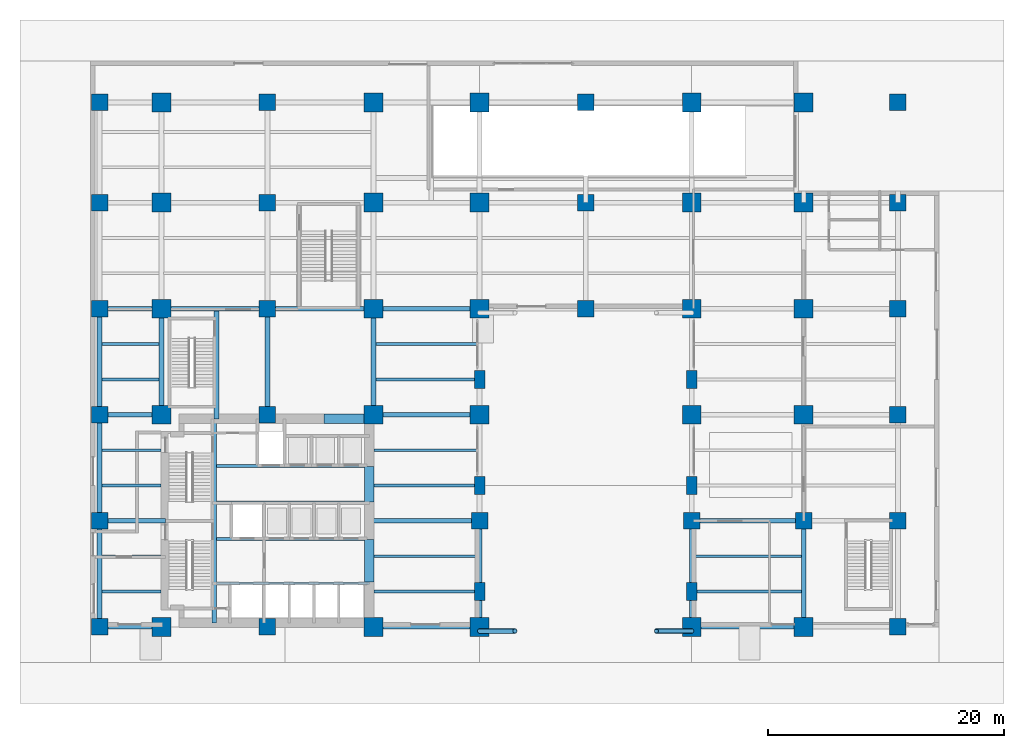
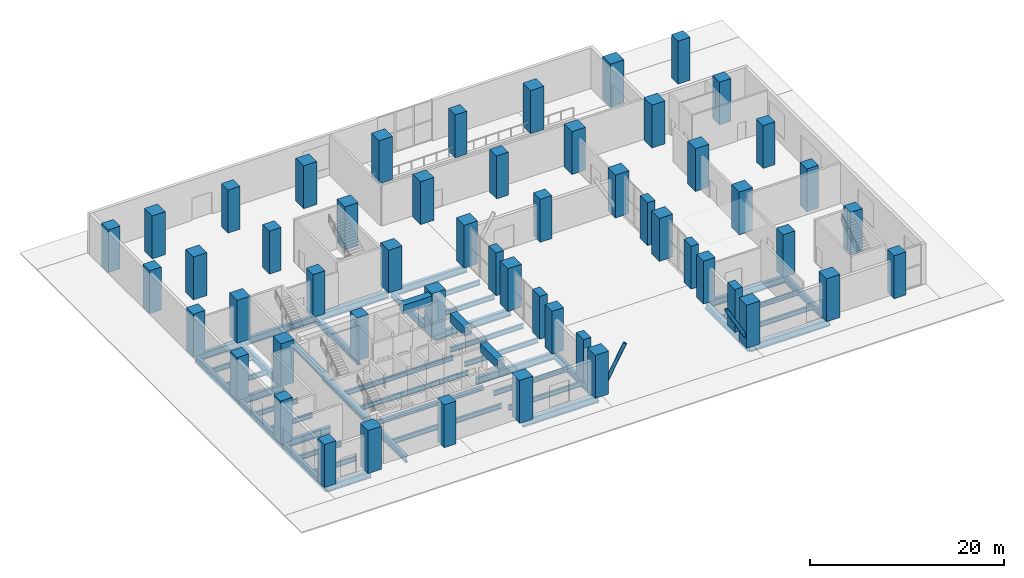
# One storey, part 1 of 17: 54 columns, 44 beams, 2 members.
"""IFC4 building model written with IfcOpenShell, lengths in metres."""

from ifc_helpers import new_model, si_unit, direction, frame, origin, origin_2d, place, context, subcontext, project, spatial, rectangle, hollow_circle, i_section, extrude, material, material_profile, profile_set, type_object, element, save


model = new_model("IFC4")

# Units and contexts
model_context = context("Model", 3, precision=1e-05, world=origin(), true_north=direction((0.0, 1.0)))
body_context = subcontext(model_context, "Body", "Model", "MODEL_VIEW")
ifc_project = project(units=[si_unit("LENGTHUNIT", "METRE"), si_unit("AREAUNIT", "SQUARE_METRE"), si_unit("VOLUMEUNIT", "CUBIC_METRE"), si_unit("PLANEANGLEUNIT", "RADIAN"), si_unit("MASSUNIT", "GRAM", prefix="KILO")], contexts=[model_context])

# Site, building, storey
site_placement = place(None, origin())
site = spatial("IfcSite", under=ifc_project, at=site_placement, CompositionType="ELEMENT")
building_placement = place(site_placement, origin())
building = spatial("IfcBuilding", under=site, at=building_placement, Name="Mawjdan Bourse Tower", CompositionType="ELEMENT")
storey_placement = place(building_placement, origin())
storey = spatial("IfcBuildingStorey", under=building, at=storey_placement, Name="L00", CompositionType="ELEMENT", Elevation=0.0)

# Columns
ifc_material_1 = material(Name="Concrete C80/95", Category="concrete")
ifc_material_profile_1 = material_profile(ifc_material_1, rectangle(XDim=1.39990234375, YDim=1.39990234375, at=origin_2d()), Name="RC1400X1400")
ifc_profile_set_1 = profile_set([ifc_material_profile_1], Name="Concrete C80/95")
column_type_1 = type_object("IfcColumnType", Name="COL-RC1400X1400", PredefinedType="COLUMN", material=ifc_profile_set_1)
for number, where, z_axis, x_axis, name in (
    (1, (0.75, 3.0, 0.0), (0.0, 0.0, 1.0), (1.0, 0.0, 0.0), "L00 Structural Column C-X8-Y30"),
    (2, (0.75, 12.0, 0.0), (0.0, 0.0, 1.0), (1.0, 0.0, 0.0), "L00 Structural Column C-X8-Y120"),
    (3, (0.75, 21.0, 0.0), (0.0, 0.0, 1.0), (1.0, 0.0, 0.0), "L00 Structural Column C-X8-Y210"),
    (4, (0.75, 30.0, 0.0), (0.0, 0.0, 1.0), (1.0, 0.0, 0.0), "L00 Structural Column C-X8-Y300"),
    (5, (0.75, 39.0, 0.0), (0.0, 0.0, 1.0), (1.0, 0.0, 0.0), "L00 Structural Column C-X8-Y390"),
    (6, (0.75, 47.5, 0.0), (0.0, 0.0, 1.0), (1.0, 0.0, 0.0), "L00 Structural Column C-X8-Y475"),
    (7, (15.0, 3.0, 0.0), (0.0, 0.0, 1.0), (1.0, 0.0, 0.0), "L00 Structural Column C-X150-Y30"),
    (8, (15.0, 21.0, 0.0), (0.0, 0.0, 1.0), (1.0, 0.0, 0.0), "L00 Structural Column C-X150-Y210"),
    (9, (15.0, 30.0, 0.0), (0.0, 0.0, 1.0), (1.0, 0.0, 0.0), "L00 Structural Column C-X150-Y300"),
    (10, (15.0, 39.0, 0.0), (0.0, 0.0, 1.0), (1.0, 0.0, 0.0), "L00 Structural Column C-X150-Y390"),
    (11, (15.0, 47.5, 0.0), (0.0, 0.0, 1.0), (1.0, 0.0, 0.0), "L00 Structural Column C-X150-Y475"),
    (12, (33.0, 12.0, 0.0), (0.0, 0.0, 1.0), (1.0, 0.0, 0.0), "L00 Structural Column C-X330-Y120"),
    (13, (42.0, 30.0, 0.0), (0.0, 0.0, 1.0), (1.0, 0.0, 0.0), "L00 Structural Column C-X420-Y300"),
    (14, (42.0, 39.0, 0.0), (0.0, 0.0, 1.0), (1.0, 0.0, 0.0), "L00 Structural Column C-X420-Y390"),
    (15, (42.0, 47.5, 0.0), (0.0, 0.0, 1.0), (1.0, 0.0, 0.0), "L00 Structural Column C-X420-Y475"),
    (16, (51.0, 12.0, 0.0), (0.0, 0.0, 1.0), (1.0, 0.0, 0.0), "L00 Structural Column C-X510-Y120"),
    (17, (60.5, 12.0, 0.0), (0.0, 0.0, 1.0), (1.0, 0.0, 0.0), "L00 Structural Column C-X605-Y120"),
    (18, (68.5, 3.0, 0.0), (0.0, 0.0, 1.0), (1.0, 0.0, 0.0), "L00 Structural Column C-X685-Y30"),
    (19, (68.5, 12.0, 0.0), (0.0, 0.0, 1.0), (1.0, 0.0, 0.0), "L00 Structural Column C-X685-Y120"),
    (20, (68.5, 21.0, 0.0), (0.0, 0.0, 1.0), (1.0, 0.0, 0.0), "L00 Structural Column C-X685-Y210"),
    (21, (68.5, 30.0, 0.0), (0.0, 0.0, 1.0), (1.0, 0.0, 0.0), "L00 Structural Column C-X685-Y300"),
    (22, (68.5, 39.0, 0.0), (0.0, 0.0, 1.0), (1.0, 0.0, 0.0), "L00 Structural Column C-X685-Y390"),
    (23, (68.5, 47.5, 0.0), (0.0, 0.0, 1.0), (1.0, 0.0, 0.0), "L00 Structural Column C-X685-Y475"),
):
    element("IfcColumn", number, at=place(storey_placement, frame(where, z_axis=z_axis, x_axis=x_axis)), inside=storey, type_object=column_type_1, Name=name, PredefinedType="COLUMN", context=body_context, shape_type="SweptSolid", body=[
        extrude(rectangle(XDim=1.39990234375, YDim=1.39990234375, at=origin_2d()), origin(), (0.0, 0.0, 1.0), 5.39990234375),
    ])
ifc_material_profile_2 = material_profile(ifc_material_1, rectangle(XDim=1.60009765625, YDim=1.60009765625, at=origin_2d()), Name="RC1600X1600")
ifc_profile_set_2 = profile_set([ifc_material_profile_2], Name="Concrete C80/95")
column_type_2 = type_object("IfcColumnType", Name="COL-RC1600X1600", PredefinedType="COLUMN", material=ifc_profile_set_2)
for number, where, z_axis, x_axis, name in (
    (24, (6.0, 3.0, 0.0), (0.0, 0.0, 1.0), (1.0, 0.0, 0.0), "L00 Structural Column C-X60-Y30"),
    (25, (6.0, 21.0, 0.0), (0.0, 0.0, 1.0), (1.0, 0.0, 0.0), "L00 Structural Column C-X60-Y210"),
    (26, (6.0, 30.0, 0.0), (0.0, 0.0, 1.0), (1.0, 0.0, 0.0), "L00 Structural Column C-X60-Y300"),
    (27, (6.0, 39.0, 0.0), (0.0, 0.0, 1.0), (1.0, 0.0, 0.0), "L00 Structural Column C-X60-Y390"),
    (28, (6.0, 47.5, 0.0), (0.0, 0.0, 1.0), (1.0, 0.0, 0.0), "L00 Structural Column C-X60-Y475"),
    (29, (24.0, 3.0, 0.0), (0.0, 0.0, 1.0), (1.0, 0.0, 0.0), "L00 Structural Column C-X240-Y30"),
    (30, (24.0, 21.0, 0.0), (0.0, 0.0, 1.0), (1.0, 0.0, 0.0), "L00 Structural Column C-X240-Y210"),
    (31, (24.0, 30.0, 0.0), (0.0, 0.0, 1.0), (1.0, 0.0, 0.0), "L00 Structural Column C-X240-Y300"),
    (32, (24.0, 39.0, 0.0), (0.0, 0.0, 1.0), (1.0, 0.0, 0.0), "L00 Structural Column C-X240-Y390"),
    (33, (24.0, 47.5, 0.0), (0.0, 0.0, 1.0), (1.0, 0.0, 0.0), "L00 Structural Column C-X240-Y475"),
    (34, (33.0, 3.0, 0.0), (0.0, 0.0, 1.0), (1.0, 0.0, 0.0), "L00 Structural Column C-X330-Y30"),
    (35, (33.0, 21.0, 0.0), (0.0, 0.0, 1.0), (1.0, 0.0, 0.0), "L00 Structural Column C-X330-Y210"),
    (36, (33.0, 30.0, 0.0), (0.0, 0.0, 1.0), (1.0, 0.0, 0.0), "L00 Structural Column C-X330-Y300"),
    (37, (33.0, 39.0, 0.0), (0.0, 0.0, 1.0), (1.0, 0.0, 0.0), "L00 Structural Column C-X330-Y390"),
    (38, (33.0, 47.5, 0.0), (0.0, 0.0, 1.0), (1.0, 0.0, 0.0), "L00 Structural Column C-X330-Y475"),
    (39, (51.0, 3.0, 0.0), (0.0, 0.0, 1.0), (1.0, 0.0, 0.0), "L00 Structural Column C-X510-Y30"),
    (40, (51.0, 21.0, 0.0), (0.0, 0.0, 1.0), (1.0, 0.0, 0.0), "L00 Structural Column C-X510-Y210"),
    (41, (51.0, 30.0, 0.0), (0.0, 0.0, 1.0), (1.0, 0.0, 0.0), "L00 Structural Column C-X510-Y300"),
    (42, (51.0, 39.0, 0.0), (0.0, 0.0, 1.0), (1.0, 0.0, 0.0), "L00 Structural Column C-X510-Y390"),
    (43, (51.0, 47.5, 0.0), (0.0, 0.0, 1.0), (1.0, 0.0, 0.0), "L00 Structural Column C-X510-Y475"),
    (44, (60.5, 3.0, 0.0), (0.0, 0.0, 1.0), (1.0, 0.0, 0.0), "L00 Structural Column C-X605-Y30"),
    (45, (60.5, 21.0, 0.0), (0.0, 0.0, 1.0), (1.0, 0.0, 0.0), "L00 Structural Column C-X605-Y210"),
    (46, (60.5, 30.0, 0.0), (0.0, 0.0, 1.0), (1.0, 0.0, 0.0), "L00 Structural Column C-X605-Y300"),
    (47, (60.5, 39.0, 0.0), (0.0, 0.0, 1.0), (1.0, 0.0, 0.0), "L00 Structural Column C-X605-Y390"),
    (48, (60.5, 47.5, 0.0), (0.0, 0.0, 1.0), (1.0, 0.0, 0.0), "L00 Structural Column C-X605-Y475"),
):
    element("IfcColumn", number, at=place(storey_placement, frame(where, z_axis=z_axis, x_axis=x_axis)), inside=storey, type_object=column_type_2, Name=name, PredefinedType="COLUMN", context=body_context, shape_type="SweptSolid", body=[
        extrude(rectangle(XDim=1.60009765625, YDim=1.60009765625, at=origin_2d()), origin(), (0.0, 0.0, 1.0), 5.39990234375),
    ])
ifc_material_2 = material(Name="Concrete C70/85", Category="concrete")
ifc_material_profile_3 = material_profile(ifc_material_2, rectangle(XDim=0.89990234375, YDim=1.5, at=origin_2d()), Name="RC1500X900")
ifc_profile_set_3 = profile_set([ifc_material_profile_3], Name="Concrete C70/85")
column_type_3 = type_object("IfcColumnType", Name="PIL-RC1500X900", PredefinedType="PILASTER", material=ifc_profile_set_3)
for number, where, z_axis, x_axis, name in (
    (49, (33.0, 6.0, 0.0), (0.0, 0.0, 1.0), (1.0, 0.0, 0.0), "L00 Engaged Pier Pilaster PIL-X330-Y60"),
    (50, (33.0, 15.0, 0.0), (0.0, 0.0, 1.0), (1.0, 0.0, 0.0), "L00 Engaged Pier Pilaster PIL-X330-Y150"),
    (51, (33.0, 24.0, 0.0), (0.0, 0.0, 1.0), (1.0, 0.0, 0.0), "L00 Engaged Pier Pilaster PIL-X330-Y240"),
    (52, (51.0, 6.0, 0.0), (0.0, 0.0, 1.0), (1.0, 0.0, 0.0), "L00 Engaged Pier Pilaster PIL-X510-Y60"),
    (53, (51.0, 15.0, 0.0), (0.0, 0.0, 1.0), (1.0, 0.0, 0.0), "L00 Engaged Pier Pilaster PIL-X510-Y150"),
    (54, (51.0, 24.0, 0.0), (0.0, 0.0, 1.0), (1.0, 0.0, 0.0), "L00 Engaged Pier Pilaster PIL-X510-Y240"),
):
    element("IfcColumn", number, at=place(storey_placement, frame(where, z_axis=z_axis, x_axis=x_axis)), inside=storey, type_object=column_type_3, Name=name, PredefinedType="PILASTER", context=body_context, shape_type="SweptSolid", body=[
        extrude(rectangle(XDim=0.89990234375, YDim=1.5, at=origin_2d()), origin(), (0.0, 0.0, 1.0), 5.39990234375),
    ])

# Members
ifc_material_3 = material(Name="Structural Steel S460", Category="steel")
ifc_material_profile_4 = material_profile(ifc_material_3, hollow_circle(Radius=0.203125, WallThickness=0.01611328125, at=origin_2d()), Name="CHS406X16")
ifc_profile_set_4 = profile_set([ifc_material_profile_4], Name="Structural Steel S460")
member_type = type_object("IfcMemberType", Name="ARC-CHS406X16", PredefinedType="USERDEFINED", material=ifc_profile_set_4)
for number, where, z_axis, x_axis, name in (
    (55, (33.0, 2.64990234375, 0.0), (0.485649642493, 0.0, 0.87415354758), (0.0, 1.0, 0.0), "L00 Giant Arch Structural Rib SOUTH 1"),
    (56, (51.0, 2.64990234375, 0.0), (-0.485649642493, 0.0, 0.87415354758), (0.0, -1.0, 0.0), "L00 Giant Arch Structural Rib SOUTH 2"),
):
    element("IfcMember", number, at=place(storey_placement, frame(where, z_axis=z_axis, x_axis=x_axis)), inside=storey, type_object=member_type, Name=name, ObjectType="ARCH RIB", PredefinedType="USERDEFINED", context=body_context, shape_type="SweptSolid", body=[
        extrude(hollow_circle(Radius=0.203125, WallThickness=0.01611328125, at=origin_2d()), origin(), (0.0, 0.0, 1.0), 6.17724609375),
    ])

# Beams
ifc_material_4 = material(Name="Structural Steel S355", Category="steel")
ifc_material_profile_5 = material_profile(ifc_material_4, i_section(OverallWidth=0.39892578125, OverallDepth=0.85595703125, WebThickness=0.018310546875, FlangeThickness=0.029296875, FilletRadius=0.0234375, at=origin_2d()), Name="W33X201")
ifc_profile_set_5 = profile_set([ifc_material_profile_5], Name="Structural Steel S355")
beam_type_1 = type_object("IfcBeamType", Name="GRD-W33X201", PredefinedType="BEAM", material=ifc_profile_set_5)
beam_1_placement = place(storey_placement, frame((10.47998046875, 3.35009765625, -0.72802734375), z_axis=(0.0, 1.0, 0.0), x_axis=(-1.0, 0.0, 0.0)))
element("IfcBeam", 57, at=beam_1_placement, inside=storey, type_object=beam_type_1, Name="L00 Core Stair Trimmer Girder 001", PredefinedType="BEAM", context=body_context, shape_type="SweptSolid", body=[
    extrude(i_section(OverallWidth=0.39892578125, OverallDepth=0.85595703125, WebThickness=0.018310546875, FlangeThickness=0.029296875, FilletRadius=0.0234375, at=origin_2d()), origin(), (0.0, 0.0, 1.0), 17.2998046875),
])
for number, where, z_axis, x_axis, name in (
    (58, (0.75, 3.0, -0.72802734375), (0.0, 1.0, 0.0), (-1.0, 0.0, 0.0), "L00 West Facade Pier Girder 005"),
    (59, (0.75, 12.0, -0.72802734375), (0.0, 1.0, 0.0), (-1.0, 0.0, 0.0), "L00 West Facade Pier Girder 006"),
    (60, (0.75, 21.0, -0.72802734375), (0.0, 1.0, 0.0), (-1.0, 0.0, 0.0), "L00 West Facade Pier Girder 007"),
):
    element("IfcBeam", number, at=place(storey_placement, frame(where, z_axis=z_axis, x_axis=x_axis)), inside=storey, type_object=beam_type_1, Name=name, PredefinedType="BEAM", context=body_context, shape_type="SweptSolid", body=[
        extrude(i_section(OverallWidth=0.39892578125, OverallDepth=0.85595703125, WebThickness=0.018310546875, FlangeThickness=0.029296875, FilletRadius=0.0234375, at=origin_2d()), origin(), (0.0, 0.0, 1.0), 9.0),
    ])
beam_2_placement = place(storey_placement, frame((10.679931640625, 20.64990234375, -0.72802734375), z_axis=(0.0, 1.0, 0.0), x_axis=(-1.0, 0.0, 0.0)))
element("IfcBeam", 61, at=beam_2_placement, inside=storey, type_object=beam_type_1, Name="L00 North Stair Trimmer Girder 010", PredefinedType="BEAM", context=body_context, shape_type="SweptSolid", body=[
    extrude(i_section(OverallWidth=0.39892578125, OverallDepth=0.85595703125, WebThickness=0.018310546875, FlangeThickness=0.029296875, FilletRadius=0.0234375, at=origin_2d()), origin(), (0.0, 0.0, 1.0), 9.152587890625),
])
for number, where, z_axis, x_axis, name in (
    (62, (6.0, 21.0, -0.72802734375), (0.0, 1.0, 0.0), (-1.0, 0.0, 0.0), "L00 Podium Primary Girder 013"),
    (63, (15.0, 21.0, -0.72802734375), (0.0, 1.0, 0.0), (-1.0, 0.0, 0.0), "L00 Podium Primary Girder 016"),
    (64, (24.0, 21.0, -0.72802734375), (0.0, 1.0, 0.0), (-1.0, 0.0, 0.0), "L00 Podium Primary Girder 019"),
    (65, (33.0, 3.0, -0.72802734375), (0.0, 1.0, 0.0), (-1.0, 0.0, 0.0), "L00 Podium Primary Girder 022"),
    (66, (51.0, 3.0, -0.72802734375), (0.0, 1.0, 0.0), (-1.0, 0.0, 0.0), "L00 Podium Primary Girder 029"),
    (67, (60.5, 3.0, -0.72802734375), (0.0, 1.0, 0.0), (-1.0, 0.0, 0.0), "L00 Podium Primary Girder 034"),
):
    element("IfcBeam", number, at=place(storey_placement, frame(where, z_axis=z_axis, x_axis=x_axis)), inside=storey, type_object=beam_type_1, Name=name, PredefinedType="BEAM", context=body_context, shape_type="SweptSolid", body=[
        extrude(i_section(OverallWidth=0.39892578125, OverallDepth=0.85595703125, WebThickness=0.018310546875, FlangeThickness=0.029296875, FilletRadius=0.0234375, at=origin_2d()), origin(), (0.0, 0.0, 1.0), 9.0),
    ])
beam_3_placement = place(storey_placement, frame((0.75, 3.0, -0.72802734375), z_axis=(1.0, 0.0, 0.0), x_axis=(0.0, 1.0, 0.0)))
element("IfcBeam", 68, at=beam_3_placement, inside=storey, type_object=beam_type_1, Name="L00 Podium Tie Girder 044", PredefinedType="BEAM", context=body_context, shape_type="SweptSolid", body=[
    extrude(i_section(OverallWidth=0.39892578125, OverallDepth=0.85595703125, WebThickness=0.018310546875, FlangeThickness=0.029296875, FilletRadius=0.0234375, at=origin_2d()), origin(), (0.0, 0.0, 1.0), 5.25),
])
beam_4_placement = place(storey_placement, frame((24.0, 3.0, -0.72802734375), z_axis=(1.0, 0.0, 0.0), x_axis=(0.0, 1.0, 0.0)))
element("IfcBeam", 69, at=beam_4_placement, inside=storey, type_object=beam_type_1, Name="L00 Podium Tie Girder 045", PredefinedType="BEAM", context=body_context, shape_type="SweptSolid", body=[
    extrude(i_section(OverallWidth=0.39892578125, OverallDepth=0.85595703125, WebThickness=0.018310546875, FlangeThickness=0.029296875, FilletRadius=0.0234375, at=origin_2d()), origin(), (0.0, 0.0, 1.0), 9.0),
])
beam_5_placement = place(storey_placement, frame((51.0, 3.0, -0.72802734375), z_axis=(1.0, 0.0, 0.0), x_axis=(0.0, 1.0, 0.0)))
element("IfcBeam", 70, at=beam_5_placement, inside=storey, type_object=beam_type_1, Name="L00 Podium Tie Girder 046", PredefinedType="BEAM", context=body_context, shape_type="SweptSolid", body=[
    extrude(i_section(OverallWidth=0.39892578125, OverallDepth=0.85595703125, WebThickness=0.018310546875, FlangeThickness=0.029296875, FilletRadius=0.0234375, at=origin_2d()), origin(), (0.0, 0.0, 1.0), 9.5),
])
beam_6_placement = place(storey_placement, frame((0.75, 12.0, -0.72802734375), z_axis=(1.0, 0.0, 0.0), x_axis=(0.0, 1.0, 0.0)))
element("IfcBeam", 71, at=beam_6_placement, inside=storey, type_object=beam_type_1, Name="L00 Podium Core Tie Girder 048", PredefinedType="BEAM", context=body_context, shape_type="SweptSolid", body=[
    extrude(i_section(OverallWidth=0.39892578125, OverallDepth=0.85595703125, WebThickness=0.018310546875, FlangeThickness=0.029296875, FilletRadius=0.0234375, at=origin_2d()), origin(), (0.0, 0.0, 1.0), 5.60009765625),
])
beam_7_placement = place(storey_placement, frame((23.64990234375, 12.0, -0.72802734375), z_axis=(1.0, 0.0, 0.0), x_axis=(0.0, 1.0, 0.0)))
element("IfcBeam", 72, at=beam_7_placement, inside=storey, type_object=beam_type_1, Name="L00 Podium Tie Girder 049", PredefinedType="BEAM", context=body_context, shape_type="SweptSolid", body=[
    extrude(i_section(OverallWidth=0.39892578125, OverallDepth=0.85595703125, WebThickness=0.018310546875, FlangeThickness=0.029296875, FilletRadius=0.0234375, at=origin_2d()), origin(), (0.0, 0.0, 1.0), 9.35009765625),
])
beam_8_placement = place(storey_placement, frame((51.0, 12.0, -0.72802734375), z_axis=(1.0, 0.0, 0.0), x_axis=(0.0, 1.0, 0.0)))
element("IfcBeam", 73, at=beam_8_placement, inside=storey, type_object=beam_type_1, Name="L00 Podium Tie Girder 050", PredefinedType="BEAM", context=body_context, shape_type="SweptSolid", body=[
    extrude(i_section(OverallWidth=0.39892578125, OverallDepth=0.85595703125, WebThickness=0.018310546875, FlangeThickness=0.029296875, FilletRadius=0.0234375, at=origin_2d()), origin(), (0.0, 0.0, 1.0), 9.5),
])
beam_9_placement = place(storey_placement, frame((0.75, 21.0, -0.72802734375), z_axis=(1.0, 0.0, 0.0), x_axis=(0.0, 1.0, 0.0)))
element("IfcBeam", 74, at=beam_9_placement, inside=storey, type_object=beam_type_1, Name="L00 Podium Tie Girder 052", PredefinedType="BEAM", context=body_context, shape_type="SweptSolid", body=[
    extrude(i_section(OverallWidth=0.39892578125, OverallDepth=0.85595703125, WebThickness=0.018310546875, FlangeThickness=0.029296875, FilletRadius=0.0234375, at=origin_2d()), origin(), (0.0, 0.0, 1.0), 5.25),
])
beam_10_placement = place(storey_placement, frame((24.0, 21.0, -0.72802734375), z_axis=(1.0, 0.0, 0.0), x_axis=(0.0, 1.0, 0.0)))
element("IfcBeam", 75, at=beam_10_placement, inside=storey, type_object=beam_type_1, Name="L00 Podium Tie Girder 053", PredefinedType="BEAM", context=body_context, shape_type="SweptSolid", body=[
    extrude(i_section(OverallWidth=0.39892578125, OverallDepth=0.85595703125, WebThickness=0.018310546875, FlangeThickness=0.029296875, FilletRadius=0.0234375, at=origin_2d()), origin(), (0.0, 0.0, 1.0), 9.0),
])
beam_11_placement = place(storey_placement, frame((0.75, 30.0, -0.72802734375), z_axis=(1.0, 0.0, 0.0), x_axis=(0.0, 1.0, 0.0)))
element("IfcBeam", 76, at=beam_11_placement, inside=storey, type_object=beam_type_1, Name="L00 Podium Tie Girder 056", PredefinedType="BEAM", context=body_context, shape_type="SweptSolid", body=[
    extrude(i_section(OverallWidth=0.39892578125, OverallDepth=0.85595703125, WebThickness=0.018310546875, FlangeThickness=0.029296875, FilletRadius=0.0234375, at=origin_2d()), origin(), (0.0, 0.0, 1.0), 5.25),
])
for number, where, z_axis, x_axis, name in (
    (77, (6.35009765625, 30.0, -0.72802734375), (1.0, 0.0, 0.0), (0.0, 1.0, 0.0), "L00 Podium Tie Girder 057"),
    (78, (15.0, 30.0, -0.72802734375), (1.0, 0.0, 0.0), (0.0, 1.0, 0.0), "L00 Podium Tie Girder 058"),
):
    element("IfcBeam", number, at=place(storey_placement, frame(where, z_axis=z_axis, x_axis=x_axis)), inside=storey, type_object=beam_type_1, Name=name, PredefinedType="BEAM", context=body_context, shape_type="SweptSolid", body=[
        extrude(i_section(OverallWidth=0.39892578125, OverallDepth=0.85595703125, WebThickness=0.018310546875, FlangeThickness=0.029296875, FilletRadius=0.0234375, at=origin_2d()), origin(), (0.0, 0.0, 1.0), 8.64990234375),
    ])
beam_12_placement = place(storey_placement, frame((24.0, 30.0, -0.72802734375), z_axis=(1.0, 0.0, 0.0), x_axis=(0.0, 1.0, 0.0)))
element("IfcBeam", 79, at=beam_12_placement, inside=storey, type_object=beam_type_1, Name="L00 Podium Tie Girder 059", PredefinedType="BEAM", context=body_context, shape_type="SweptSolid", body=[
    extrude(i_section(OverallWidth=0.39892578125, OverallDepth=0.85595703125, WebThickness=0.018310546875, FlangeThickness=0.029296875, FilletRadius=0.0234375, at=origin_2d()), origin(), (0.0, 0.0, 1.0), 9.0),
])
ifc_material_profile_6 = material_profile(ifc_material_4, i_section(OverallWidth=0.22998046875, OverallDepth=0.616943359375, WebThickness=0.01318359375, FlangeThickness=0.022216796875, FilletRadius=0.017822265625, at=origin_2d()), Name="W24X94")
ifc_profile_set_6 = profile_set([ifc_material_profile_6], Name="Structural Steel S355")
beam_type_2 = type_object("IfcBeamType", Name="JST-W24X94", PredefinedType="JOIST", material=ifc_profile_set_6)
beam_13_placement = place(storey_placement, frame((0.947509765625, 6.0, -0.6083984375), z_axis=(1.0, 0.0, 0.0), x_axis=(0.0, 1.0, 0.0)))
element("IfcBeam", 80, at=beam_13_placement, inside=storey, type_object=beam_type_2, Name="L00 Composite Floor Joist 079", PredefinedType="JOIST", context=body_context, shape_type="SweptSolid", body=[
    extrude(i_section(OverallWidth=0.22998046875, OverallDepth=0.616943359375, WebThickness=0.01318359375, FlangeThickness=0.022216796875, FilletRadius=0.017822265625, at=origin_2d()), origin(), (0.0, 0.0, 1.0), 5.012451171875),
])
beam_14_placement = place(storey_placement, frame((24.0400390625, 6.0, -0.6083984375), z_axis=(1.0, 0.0, 0.0), x_axis=(0.0, 1.0, 0.0)))
element("IfcBeam", 81, at=beam_14_placement, inside=storey, type_object=beam_type_2, Name="L00 Composite Floor Joist 080", PredefinedType="JOIST", context=body_context, shape_type="SweptSolid", body=[
    extrude(i_section(OverallWidth=0.22998046875, OverallDepth=0.616943359375, WebThickness=0.01318359375, FlangeThickness=0.022216796875, FilletRadius=0.017822265625, at=origin_2d()), origin(), (0.0, 0.0, 1.0), 8.762451171875),
])
beam_15_placement = place(storey_placement, frame((51.197509765625, 6.0, -0.6083984375), z_axis=(1.0, 0.0, 0.0), x_axis=(0.0, 1.0, 0.0)))
element("IfcBeam", 82, at=beam_15_placement, inside=storey, type_object=beam_type_2, Name="L00 Composite Floor Joist 081", PredefinedType="JOIST", context=body_context, shape_type="SweptSolid", body=[
    extrude(i_section(OverallWidth=0.22998046875, OverallDepth=0.616943359375, WebThickness=0.01318359375, FlangeThickness=0.022216796875, FilletRadius=0.017822265625, at=origin_2d()), origin(), (0.0, 0.0, 1.0), 9.10498046875),
])
beam_16_placement = place(storey_placement, frame((0.947509765625, 9.0, -0.6083984375), z_axis=(1.0, 0.0, 0.0), x_axis=(0.0, 1.0, 0.0)))
element("IfcBeam", 83, at=beam_16_placement, inside=storey, type_object=beam_type_2, Name="L00 Composite Floor Joist 082", PredefinedType="JOIST", context=body_context, shape_type="SweptSolid", body=[
    extrude(i_section(OverallWidth=0.22998046875, OverallDepth=0.616943359375, WebThickness=0.01318359375, FlangeThickness=0.022216796875, FilletRadius=0.017822265625, at=origin_2d()), origin(), (0.0, 0.0, 1.0), 5.012451171875),
])
beam_17_placement = place(storey_placement, frame((24.0400390625, 9.0, -0.6083984375), z_axis=(1.0, 0.0, 0.0), x_axis=(0.0, 1.0, 0.0)))
element("IfcBeam", 84, at=beam_17_placement, inside=storey, type_object=beam_type_2, Name="L00 Composite Floor Joist 083", PredefinedType="JOIST", context=body_context, shape_type="SweptSolid", body=[
    extrude(i_section(OverallWidth=0.22998046875, OverallDepth=0.616943359375, WebThickness=0.01318359375, FlangeThickness=0.022216796875, FilletRadius=0.017822265625, at=origin_2d()), origin(), (0.0, 0.0, 1.0), 8.762451171875),
])
beam_18_placement = place(storey_placement, frame((51.197509765625, 9.0, -0.6083984375), z_axis=(1.0, 0.0, 0.0), x_axis=(0.0, 1.0, 0.0)))
element("IfcBeam", 85, at=beam_18_placement, inside=storey, type_object=beam_type_2, Name="L00 Composite Floor Joist 084", PredefinedType="JOIST", context=body_context, shape_type="SweptSolid", body=[
    extrude(i_section(OverallWidth=0.22998046875, OverallDepth=0.616943359375, WebThickness=0.01318359375, FlangeThickness=0.022216796875, FilletRadius=0.017822265625, at=origin_2d()), origin(), (0.0, 0.0, 1.0), 9.10498046875),
])
beam_19_placement = place(storey_placement, frame((0.947509765625, 15.0, -0.6083984375), z_axis=(1.0, 0.0, 0.0), x_axis=(0.0, 1.0, 0.0)))
element("IfcBeam", 86, at=beam_19_placement, inside=storey, type_object=beam_type_2, Name="L00 Composite Floor Joist 085", PredefinedType="JOIST", context=body_context, shape_type="SweptSolid", body=[
    extrude(i_section(OverallWidth=0.22998046875, OverallDepth=0.616943359375, WebThickness=0.01318359375, FlangeThickness=0.022216796875, FilletRadius=0.017822265625, at=origin_2d()), origin(), (0.0, 0.0, 1.0), 5.012451171875),
])
beam_20_placement = place(storey_placement, frame((24.0400390625, 15.0, -0.6083984375), z_axis=(1.0, 0.0, 0.0), x_axis=(0.0, 1.0, 0.0)))
element("IfcBeam", 87, at=beam_20_placement, inside=storey, type_object=beam_type_2, Name="L00 Composite Floor Joist 086", PredefinedType="JOIST", context=body_context, shape_type="SweptSolid", body=[
    extrude(i_section(OverallWidth=0.22998046875, OverallDepth=0.616943359375, WebThickness=0.01318359375, FlangeThickness=0.022216796875, FilletRadius=0.017822265625, at=origin_2d()), origin(), (0.0, 0.0, 1.0), 8.762451171875),
])
beam_21_placement = place(storey_placement, frame((0.947509765625, 18.0, -0.6083984375), z_axis=(1.0, 0.0, 0.0), x_axis=(0.0, 1.0, 0.0)))
element("IfcBeam", 88, at=beam_21_placement, inside=storey, type_object=beam_type_2, Name="L00 Composite Floor Joist 089", PredefinedType="JOIST", context=body_context, shape_type="SweptSolid", body=[
    extrude(i_section(OverallWidth=0.22998046875, OverallDepth=0.616943359375, WebThickness=0.01318359375, FlangeThickness=0.022216796875, FilletRadius=0.017822265625, at=origin_2d()), origin(), (0.0, 0.0, 1.0), 5.012451171875),
])
beam_22_placement = place(storey_placement, frame((24.0400390625, 18.0, -0.6083984375), z_axis=(1.0, 0.0, 0.0), x_axis=(0.0, 1.0, 0.0)))
element("IfcBeam", 89, at=beam_22_placement, inside=storey, type_object=beam_type_2, Name="L00 Composite Floor Joist 090", PredefinedType="JOIST", context=body_context, shape_type="SweptSolid", body=[
    extrude(i_section(OverallWidth=0.22998046875, OverallDepth=0.616943359375, WebThickness=0.01318359375, FlangeThickness=0.022216796875, FilletRadius=0.017822265625, at=origin_2d()), origin(), (0.0, 0.0, 1.0), 8.762451171875),
])
beam_23_placement = place(storey_placement, frame((0.947509765625, 24.0, -0.6083984375), z_axis=(1.0, 0.0, 0.0), x_axis=(0.0, 1.0, 0.0)))
element("IfcBeam", 90, at=beam_23_placement, inside=storey, type_object=beam_type_2, Name="L00 Composite Floor Joist 093", PredefinedType="JOIST", context=body_context, shape_type="SweptSolid", body=[
    extrude(i_section(OverallWidth=0.22998046875, OverallDepth=0.616943359375, WebThickness=0.01318359375, FlangeThickness=0.022216796875, FilletRadius=0.017822265625, at=origin_2d()), origin(), (0.0, 0.0, 1.0), 4.85498046875),
])
beam_24_placement = place(storey_placement, frame((24.197509765625, 24.0, -0.6083984375), z_axis=(1.0, 0.0, 0.0), x_axis=(0.0, 1.0, 0.0)))
element("IfcBeam", 91, at=beam_24_placement, inside=storey, type_object=beam_type_2, Name="L00 Composite Floor Joist 094", PredefinedType="JOIST", context=body_context, shape_type="SweptSolid", body=[
    extrude(i_section(OverallWidth=0.22998046875, OverallDepth=0.616943359375, WebThickness=0.01318359375, FlangeThickness=0.022216796875, FilletRadius=0.017822265625, at=origin_2d()), origin(), (0.0, 0.0, 1.0), 8.60498046875),
])
beam_25_placement = place(storey_placement, frame((0.947509765625, 27.0, -0.6083984375), z_axis=(1.0, 0.0, 0.0), x_axis=(0.0, 1.0, 0.0)))
element("IfcBeam", 92, at=beam_25_placement, inside=storey, type_object=beam_type_2, Name="L00 Composite Floor Joist 097", PredefinedType="JOIST", context=body_context, shape_type="SweptSolid", body=[
    extrude(i_section(OverallWidth=0.22998046875, OverallDepth=0.616943359375, WebThickness=0.01318359375, FlangeThickness=0.022216796875, FilletRadius=0.017822265625, at=origin_2d()), origin(), (0.0, 0.0, 1.0), 4.85498046875),
])
beam_26_placement = place(storey_placement, frame((24.197509765625, 27.0, -0.6083984375), z_axis=(1.0, 0.0, 0.0), x_axis=(0.0, 1.0, 0.0)))
element("IfcBeam", 93, at=beam_26_placement, inside=storey, type_object=beam_type_2, Name="L00 Composite Floor Joist 098", PredefinedType="JOIST", context=body_context, shape_type="SweptSolid", body=[
    extrude(i_section(OverallWidth=0.22998046875, OverallDepth=0.616943359375, WebThickness=0.01318359375, FlangeThickness=0.022216796875, FilletRadius=0.017822265625, at=origin_2d()), origin(), (0.0, 0.0, 1.0), 8.60498046875),
])
for number, where, z_axis, x_axis, name in (
    (94, (10.677490234375, 6.699951171875, -0.6083984375), (1.0, 0.0, 0.0), (0.0, 1.0, 0.0), "L00 Core Slab Joist 123"),
    (95, (10.677490234375, 10.449951171875, -0.6083984375), (1.0, 0.0, 0.0), (0.0, 1.0, 0.0), "L00 Core Slab Joist 124"),
    (96, (10.677490234375, 13.550048828125, -0.6083984375), (1.0, 0.0, 0.0), (0.0, 1.0, 0.0), "L00 Core Slab Joist 125"),
    (97, (10.677490234375, 16.64990234375, -0.6083984375), (1.0, 0.0, 0.0), (0.0, 1.0, 0.0), "L00 Core Slab Joist 126"),
):
    element("IfcBeam", number, at=place(storey_placement, frame(where, z_axis=z_axis, x_axis=x_axis)), inside=storey, type_object=beam_type_2, Name=name, PredefinedType="JOIST", context=body_context, shape_type="SweptSolid", body=[
        extrude(i_section(OverallWidth=0.22998046875, OverallDepth=0.616943359375, WebThickness=0.01318359375, FlangeThickness=0.022216796875, FilletRadius=0.017822265625, at=origin_2d()), origin(), (0.0, 0.0, 1.0), 12.972412109375),
    ])
ifc_material_profile_7 = material_profile(ifc_material_2, rectangle(XDim=0.800048828125, YDim=1.10009765625, at=origin_2d()), Name="RCB800X1100")
ifc_profile_set_7 = profile_set([ifc_material_profile_7], Name="Concrete C70/85")
beam_type_3 = type_object("IfcBeamType", Name="LNT-RCB800X1100", PredefinedType="LINTEL", material=ifc_profile_set_7)
beam_27_placement = place(storey_placement, frame((23.64990234375, 6.800048828125, 4.550048828125), z_axis=(0.0, 1.0, 0.0), x_axis=(-1.0, 0.0, 0.0)))
element("IfcBeam", 98, at=beam_27_placement, inside=storey, type_object=beam_type_3, Name="L00 Coupled Core Lintel CB-E1", PredefinedType="LINTEL", context=body_context, shape_type="SweptSolid", body=[
    extrude(rectangle(XDim=0.800048828125, YDim=1.10009765625, at=origin_2d()), origin(), (0.0, 0.0, 1.0), 3.599853515625),
])
beam_28_placement = place(storey_placement, frame((23.64990234375, 13.60009765625, 4.550048828125), z_axis=(0.0, 1.0, 0.0), x_axis=(-1.0, 0.0, 0.0)))
element("IfcBeam", 99, at=beam_28_placement, inside=storey, type_object=beam_type_3, Name="L00 Coupled Core Lintel CB-E2", PredefinedType="LINTEL", context=body_context, shape_type="SweptSolid", body=[
    extrude(rectangle(XDim=0.800048828125, YDim=1.10009765625, at=origin_2d()), origin(), (0.0, 0.0, 1.0), 3.0),
])
beam_29_placement = place(storey_placement, frame((19.800048828125, 20.64990234375, 4.550048828125), z_axis=(1.0, 0.0, 0.0), x_axis=(0.0, 1.0, 0.0)))
element("IfcBeam", 100, at=beam_29_placement, inside=storey, type_object=beam_type_3, Name="L00 Coupled Core Lintel CB-N1", PredefinedType="LINTEL", context=body_context, shape_type="SweptSolid", body=[
    extrude(rectangle(XDim=0.800048828125, YDim=1.10009765625, at=origin_2d()), origin(), (0.0, 0.0, 1.0), 3.849853515625),
])

save(model, "model.ifc")
